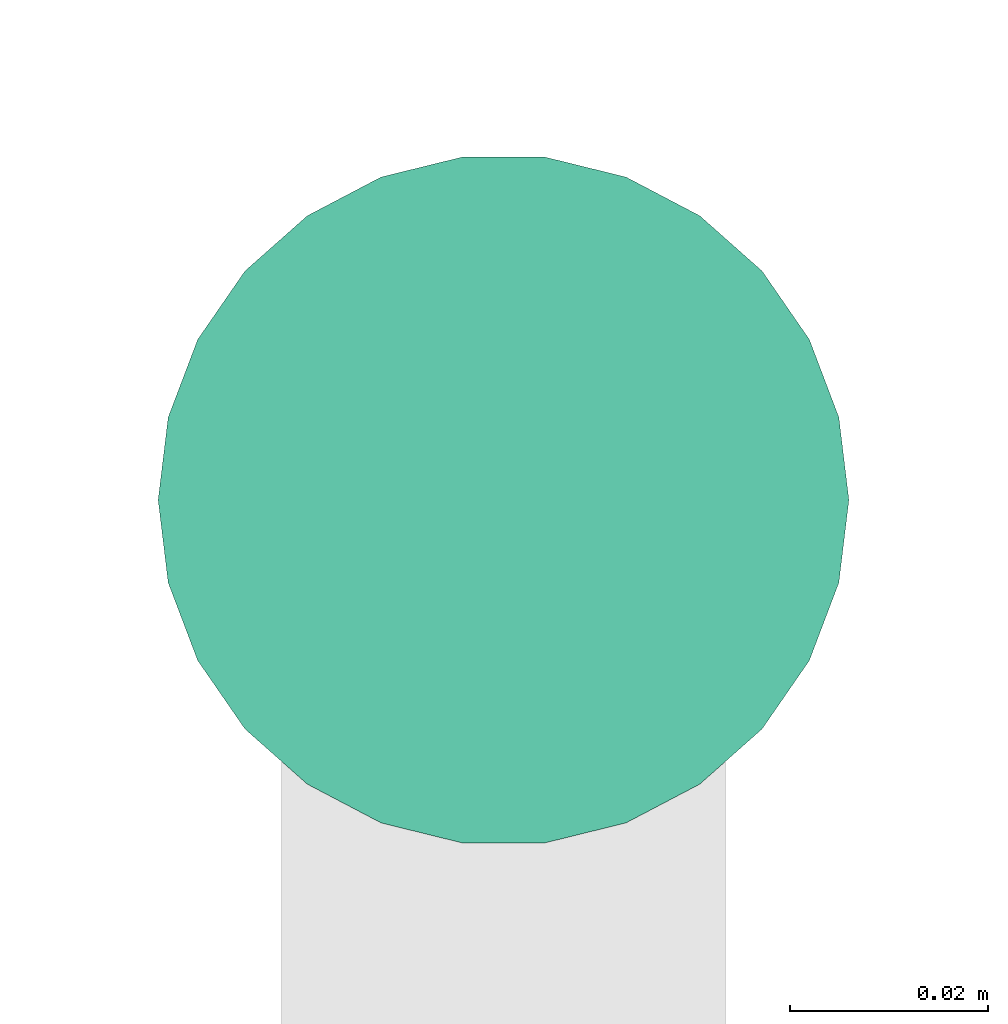
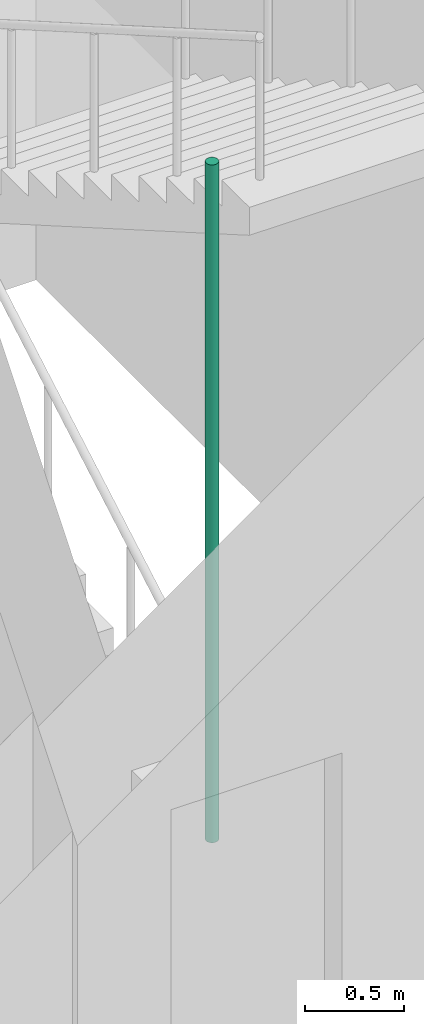
# One storey, part 33 of 36: 1 pipe segment.
"""IFC4 building model written with IfcOpenShell, lengths in metres."""

from ifc_helpers import new_model, si_unit, direction, frame, origin, origin_2d, place, context, subcontext, project, spatial, circle, extrude, element, save


model = new_model("IFC4")

# Units and contexts
model_context = context("Model", 3, precision=1e-05, world=origin(), true_north=direction((0.0, 1.0)))
body_context = subcontext(model_context, "Body", "Model", "MODEL_VIEW")
ifc_project = project(units=[si_unit("LENGTHUNIT", "METRE"), si_unit("AREAUNIT", "SQUARE_METRE"), si_unit("VOLUMEUNIT", "CUBIC_METRE"), si_unit("PLANEANGLEUNIT", "RADIAN"), si_unit("MASSUNIT", "GRAM", prefix="KILO")], contexts=[model_context])

# Site, building, storey
site_placement = place(None, origin())
site = spatial("IfcSite", under=ifc_project, at=site_placement, CompositionType="ELEMENT")
building_placement = place(site_placement, origin())
building = spatial("IfcBuilding", under=site, at=building_placement, Name="Nzadi Deep Aquarium and Research Tower", CompositionType="ELEMENT")
storey_placement = place(building_placement, frame((0.0, 0.0, 40.300048828125)))
storey = spatial("IfcBuildingStorey", under=building, at=storey_placement, Name="L07", CompositionType="ELEMENT", Elevation=40.300048828125)

# Pipe segment
pipe_segment_placement = place(storey_placement, frame((25.10009765625, 13.719970703125, 0.0), z_axis=(0.0, 0.0, 1.0), x_axis=(1.0, 0.0, 0.0)))
element("IfcPipeSegment", 1, at=pipe_segment_placement, inside=storey, Name="Dry riser ST-Z1-SE L07", PredefinedType="RIGIDSEGMENT", context=body_context, shape_type="SweptSolid", body=[
    extrude(circle(Radius=0.034912109375, at=origin_2d()), origin(), (0.0, 0.0, 1.0), 4.199951171875),
])

save(model, "model.ifc")
